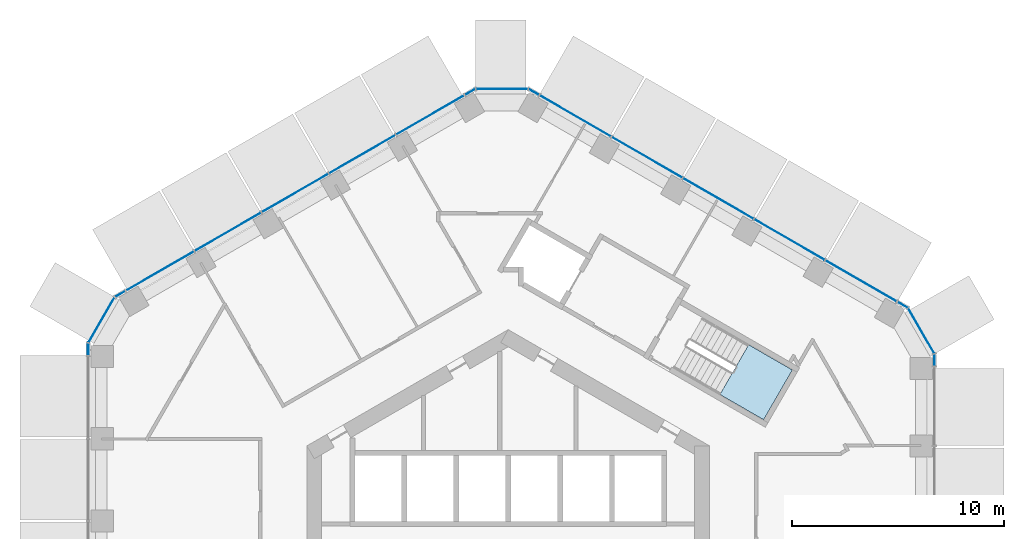
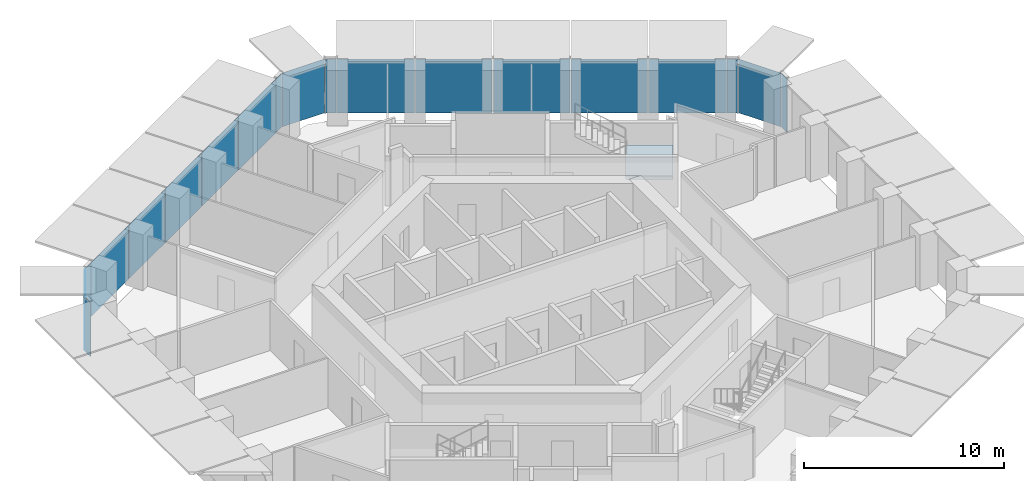
# One storey, part 12 of 19: 19 plates, 1 slab, 6 elements without a shape of their own.
"""IFC4 building model written with IfcOpenShell, lengths in metres."""

from ifc_helpers import new_model, si_unit, direction, frame, origin, origin_2d, place, context, subcontext, project, spatial, polyline, rectangle, outline, extrude, material, layer, layer_set, type_object, element, aggregate, save


model = new_model("IFC4")

# Units and contexts
model_context = context("Model", 3, precision=1e-05, world=origin(), true_north=direction((0.0, 1.0)))
body_context = subcontext(model_context, "Body", "Model", "MODEL_VIEW")
ifc_project = project(units=[si_unit("LENGTHUNIT", "METRE"), si_unit("AREAUNIT", "SQUARE_METRE"), si_unit("VOLUMEUNIT", "CUBIC_METRE"), si_unit("PLANEANGLEUNIT", "RADIAN"), si_unit("MASSUNIT", "GRAM", prefix="KILO")], contexts=[model_context])

# Site, building, storey
site_placement = place(None, origin())
site = spatial("IfcSite", under=ifc_project, at=site_placement, CompositionType="ELEMENT")
building_placement = place(site_placement, origin())
building = spatial("IfcBuilding", under=site, at=building_placement, Name="Ayvan Gate Tower", CompositionType="ELEMENT")
storey_placement = place(building_placement, frame((0.0, 0.0, 100.10009765625)))
storey = spatial("IfcBuildingStorey", under=building, at=storey_placement, Name="L26", CompositionType="ELEMENT", Elevation=100.10009765625)

# Stair, slab
ifc_material_1 = material(Name="Concrete C40/50", Category="concrete")
stair_type = type_object("IfcStairType", Name="ST-EXIT", PredefinedType="HALF_TURN_STAIR", material=ifc_material_1)
stair_placement = place(storey_placement, origin())
stair = element("IfcStair", 1, at=stair_placement, inside=storey, type_object=stair_type, Name="L26 Exit Stair S1", PredefinedType="HALF_TURN_STAIR")
ifc_layer_1 = layer(ifc_material_1, 0.199951171875)
ifc_layer_set_1 = layer_set([ifc_layer_1], Name="Concrete C40/50")
slab_type = type_object("IfcSlabType", Name="SL-LANDING-200", PredefinedType="LANDING", material=ifc_layer_set_1)
slab_placement = place(storey_placement, frame((0.0, 0.0, 1.5)))
slab = element("IfcSlab", 2, at=slab_placement, type_object=slab_type, Name="STS1 landing 1", PredefinedType="LANDING", context=body_context, shape_type="SweptSolid", body=[
    extrude(outline(polyline([(9.988525390625, 7.91064453125), (12.049560546875, 6.720458984375), (13.404541015625, 9.0673828125), (11.343505859375, 10.257568359375), (9.988525390625, 7.91064453125)])), origin(), (0.0, 0.0, 1.0), 0.199951171875),
])
aggregate(stair, [slab])

# Curtain wall, plates
ifc_material_2 = material(Name="Bronze anodised aluminium", Category="aluminium")
ifc_layer_2 = layer(ifc_material_2, 0.199951171875)
ifc_layer_set_2 = layer_set([ifc_layer_2], Name="Bronze anodised aluminium")
curtain_wall_type_1 = type_object("IfcCurtainWallType", Name="Stick curtain wall CW-1", PredefinedType="NOTDEFINED", material=ifc_layer_set_2)
curtain_wall_1_placement = place(storey_placement, origin())
curtain_wall_1 = element("IfcCurtainWall", 3, at=curtain_wall_1_placement, inside=storey, type_object=curtain_wall_type_1, Name="Stick curtain wall CW-1 L26", PredefinedType="NOTDEFINED")
ifc_material_3 = material(Name="Clear low-iron laminated glass", Category="glass")
ifc_layer_3 = layer(ifc_material_3, 0.028076171875)
ifc_layer_set_3 = layer_set([ifc_layer_3], Name="Clear low-iron laminated glass")
plate_type_1 = type_object("IfcPlateType", Name="Stick curtain wall CW-1 glass panel", PredefinedType="CURTAIN_PANEL", material=ifc_layer_set_3)
plate_1_placement = place(storey_placement, frame((-3.671630859375, 21.101806640625, 0.0), z_axis=(0.0, 0.0, 1.0), x_axis=(-0.866025403784, -0.5, 0.0)))
plate_1 = element("IfcPlate", 4, at=plate_1_placement, type_object=plate_type_1, Name="CW-1 glass panel 1", PredefinedType="CURTAIN_PANEL", context=body_context, shape_type="SweptSolid", body=[
    extrude(rectangle(XDim=3.712890625, YDim=0.028076171875, at=origin_2d()), origin(), (0.0, 0.0, 1.0), 3.280029296875),
])
plate_2_placement = place(storey_placement, frame((-6.888671875, 19.24462890625, 0.0), z_axis=(0.0, 0.0, 1.0), x_axis=(-0.866025403784, -0.5, 0.0)))
plate_2 = element("IfcPlate", 5, at=plate_2_placement, type_object=plate_type_1, Name="CW-1 glass panel 2", PredefinedType="CURTAIN_PANEL", context=body_context, shape_type="SweptSolid", body=[
    extrude(rectangle(XDim=3.595947265625, YDim=0.028076171875, at=origin_2d()), origin(), (0.0, 0.0, 1.0), 3.280029296875),
])
plate_3_placement = place(storey_placement, frame((-10.05517578125, 17.416259765625, 0.0), z_axis=(0.0, 0.0, 1.0), x_axis=(-0.866025403784, -0.5, 0.0)))
plate_3 = element("IfcPlate", 6, at=plate_3_placement, type_object=plate_type_1, Name="CW-1 glass panel 3", PredefinedType="CURTAIN_PANEL", context=body_context, shape_type="SweptSolid", body=[
    extrude(rectangle(XDim=3.596923828125, YDim=0.028076171875, at=origin_2d()), origin(), (0.0, 0.0, 1.0), 3.280029296875),
])
plate_4_placement = place(storey_placement, frame((-13.221923828125, 15.588134765625, 0.0), z_axis=(0.0, 0.0, 1.0), x_axis=(-0.866025403784, -0.5, 0.0)))
plate_4 = element("IfcPlate", 7, at=plate_4_placement, type_object=plate_type_1, Name="CW-1 glass panel 4", PredefinedType="CURTAIN_PANEL", context=body_context, shape_type="SweptSolid", body=[
    extrude(rectangle(XDim=3.595947265625, YDim=0.028076171875, at=origin_2d()), origin(), (0.0, 0.0, 1.0), 3.280029296875),
])
plate_5_placement = place(storey_placement, frame((-16.438720703125, 13.730712890625, 0.0), z_axis=(0.0, 0.0, 1.0), x_axis=(-0.866025403784, -0.5, 0.0)))
plate_5 = element("IfcPlate", 8, at=plate_5_placement, type_object=plate_type_1, Name="CW-1 glass panel 5", PredefinedType="CURTAIN_PANEL", context=body_context, shape_type="SweptSolid", body=[
    extrude(rectangle(XDim=3.713134765625, YDim=0.028076171875, at=origin_2d()), origin(), (0.0, 0.0, 1.0), 3.280029296875),
])
aggregate(curtain_wall_1, [plate_1, plate_2, plate_3, plate_4, plate_5])

curtain_wall_2_placement = place(storey_placement, origin())
curtain_wall_2 = element("IfcCurtainWall", 9, at=curtain_wall_2_placement, inside=storey, type_object=curtain_wall_type_1, Name="Stick curtain wall CW-1 L26", PredefinedType="NOTDEFINED")
plate_6_placement = place(storey_placement, frame((16.659912109375, 13.260498046875, 0.0), z_axis=(0.0, 0.0, 1.0), x_axis=(-0.866025403784, 0.5, 0.0)))
plate_6 = element("IfcPlate", 10, at=plate_6_placement, type_object=plate_type_1, Name="CW-1 glass panel 1", PredefinedType="CURTAIN_PANEL", context=body_context, shape_type="SweptSolid", body=[
    extrude(rectangle(XDim=3.887939453125, YDim=0.028076171875, at=origin_2d()), origin(), (0.0, 0.0, 1.0), 3.280029296875),
])
plate_7_placement = place(storey_placement, frame((13.269287109375, 15.218017578125, 0.0), z_axis=(0.0, 0.0, 1.0), x_axis=(-0.866025403784, 0.5, 0.0)))
plate_7 = element("IfcPlate", 11, at=plate_7_placement, type_object=plate_type_1, Name="CW-1 glass panel 2", PredefinedType="CURTAIN_PANEL", context=body_context, shape_type="SweptSolid", body=[
    extrude(rectangle(XDim=3.822021484375, YDim=0.028076171875, at=origin_2d()), origin(), (0.0, 0.0, 1.0), 3.280029296875),
])
plate_8_placement = place(storey_placement, frame((9.906982421875, 17.1591796875, 0.0), z_axis=(0.0, 0.0, 1.0), x_axis=(-0.866025403784, 0.5, 0.0)))
plate_8 = element("IfcPlate", 12, at=plate_8_placement, type_object=plate_type_1, Name="CW-1 glass panel 3", PredefinedType="CURTAIN_PANEL", context=body_context, shape_type="SweptSolid", body=[
    extrude(rectangle(XDim=3.822998046875, YDim=0.028076171875, at=origin_2d()), origin(), (0.0, 0.0, 1.0), 3.280029296875),
])
plate_9_placement = place(storey_placement, frame((6.544677734375, 19.1005859375, 0.0), z_axis=(0.0, 0.0, 1.0), x_axis=(-0.866025403784, 0.5, 0.0)))
plate_9 = element("IfcPlate", 13, at=plate_9_placement, type_object=plate_type_1, Name="CW-1 glass panel 4", PredefinedType="CURTAIN_PANEL", context=body_context, shape_type="SweptSolid", body=[
    extrude(rectangle(XDim=3.822021484375, YDim=0.028076171875, at=origin_2d()), origin(), (0.0, 0.0, 1.0), 3.280029296875),
])
plate_10_placement = place(storey_placement, frame((3.154052734375, 21.05810546875, 0.0), z_axis=(0.0, 0.0, 1.0), x_axis=(-0.866025403784, 0.5, 0.0)))
plate_10 = element("IfcPlate", 14, at=plate_10_placement, type_object=plate_type_1, Name="CW-1 glass panel 5", PredefinedType="CURTAIN_PANEL", context=body_context, shape_type="SweptSolid", body=[
    extrude(rectangle(XDim=3.88818359375, YDim=0.028076171875, at=origin_2d()), origin(), (0.0, 0.0, 1.0), 3.280029296875),
])
aggregate(curtain_wall_2, [plate_6, plate_7, plate_8, plate_9, plate_10])

ifc_layer_4 = layer(ifc_material_2, 0.199951171875)
ifc_layer_set_4 = layer_set([ifc_layer_4], Name="Bronze anodised aluminium")
curtain_wall_type_2 = type_object("IfcCurtainWallType", Name="Stick curtain wall CW-6", PredefinedType="NOTDEFINED", material=ifc_layer_set_4)
curtain_wall_3_placement = place(storey_placement, origin())
curtain_wall_3 = element("IfcCurtainWall", 15, at=curtain_wall_3_placement, inside=storey, type_object=curtain_wall_type_2, Name="Stick curtain wall CW-6 L26", PredefinedType="NOTDEFINED")
ifc_layer_5 = layer(ifc_material_3, 0.028076171875)
ifc_layer_set_5 = layer_set([ifc_layer_5], Name="Clear low-iron laminated glass")
plate_type_2 = type_object("IfcPlateType", Name="Stick curtain wall CW-6 glass panel", PredefinedType="CURTAIN_PANEL", material=ifc_layer_set_5)
plate_11_placement = place(storey_placement, frame((-18.310791015625, 12.64990234375, 0.0), z_axis=(0.0, 0.0, 1.0), x_axis=(-0.866025403784, -0.5, 0.0)))
plate_11 = element("IfcPlate", 16, at=plate_11_placement, type_object=plate_type_2, Name="CW-6 glass panel 1", PredefinedType="CURTAIN_PANEL", context=body_context, shape_type="SweptSolid", body=[
    extrude(rectangle(XDim=0.550048828125, YDim=0.028076171875, at=origin_2d()), origin(), (0.0, 0.0, 1.0), 3.280029296875),
])
plate_12_placement = place(storey_placement, frame((-19.192138671875, 11.42333984375, 0.0), z_axis=(0.0, 0.0, 1.0), x_axis=(-0.5, -0.866025403784, 0.0)))
plate_12 = element("IfcPlate", 17, at=plate_12_placement, type_object=plate_type_2, Name="CW-6 glass panel 2", PredefinedType="CURTAIN_PANEL", context=body_context, shape_type="SweptSolid", body=[
    extrude(rectangle(XDim=2.4365234375, YDim=0.028076171875, at=origin_2d()), origin(), (0.0, 0.0, 1.0), 3.280029296875),
])
plate_13_placement = place(storey_placement, frame((-19.813720703125, 10.046630859375, 0.0), z_axis=(0.0, 0.0, 1.0), x_axis=(0.0, -1.0, 0.0)))
plate_13 = element("IfcPlate", 18, at=plate_13_placement, type_object=plate_type_2, Name="CW-6 glass panel 3", PredefinedType="CURTAIN_PANEL", context=body_context, shape_type="SweptSolid", body=[
    extrude(rectangle(XDim=0.550048828125, YDim=0.028076171875, at=origin_2d()), origin(), (0.0, 0.0, 1.0), 3.280029296875),
])
aggregate(curtain_wall_3, [plate_11, plate_12, plate_13])

curtain_wall_4_placement = place(storey_placement, origin())
curtain_wall_4 = element("IfcCurtainWall", 19, at=curtain_wall_4_placement, inside=storey, type_object=curtain_wall_type_2, Name="Stick curtain wall CW-6 L26", PredefinedType="NOTDEFINED")
plate_14_placement = place(storey_placement, frame((20.110595703125, 9.532470703125, 0.0), z_axis=(0.0, 0.0, 1.0), x_axis=(0.0, 1.0, 0.0)))
plate_14 = element("IfcPlate", 20, at=plate_14_placement, type_object=plate_type_2, Name="CW-6 glass panel 1", PredefinedType="CURTAIN_PANEL", context=body_context, shape_type="SweptSolid", body=[
    extrude(rectangle(XDim=0.550048828125, YDim=0.028076171875, at=origin_2d()), origin(), (0.0, 0.0, 1.0), 3.280029296875),
])
plate_15_placement = place(storey_placement, frame((19.489013671875, 10.9091796875, 0.0), z_axis=(0.0, 0.0, 1.0), x_axis=(-0.5, 0.866025403784, 0.0)))
plate_15 = element("IfcPlate", 21, at=plate_15_placement, type_object=plate_type_2, Name="CW-6 glass panel 2", PredefinedType="CURTAIN_PANEL", context=body_context, shape_type="SweptSolid", body=[
    extrude(rectangle(XDim=2.4365234375, YDim=0.028076171875, at=origin_2d()), origin(), (0.0, 0.0, 1.0), 3.280029296875),
])
plate_16_placement = place(storey_placement, frame((18.607421875, 12.135986328125, 0.0), z_axis=(0.0, 0.0, 1.0), x_axis=(-0.866025403784, 0.5, 0.0)))
plate_16 = element("IfcPlate", 22, at=plate_16_placement, type_object=plate_type_2, Name="CW-6 glass panel 3", PredefinedType="CURTAIN_PANEL", context=body_context, shape_type="SweptSolid", body=[
    extrude(rectangle(XDim=0.550048828125, YDim=0.028076171875, at=origin_2d()), origin(), (0.0, 0.0, 1.0), 3.280029296875),
])
aggregate(curtain_wall_4, [plate_14, plate_15, plate_16])

curtain_wall_5_placement = place(storey_placement, origin())
curtain_wall_5 = element("IfcCurtainWall", 23, at=curtain_wall_5_placement, inside=storey, type_object=curtain_wall_type_2, Name="Stick curtain wall CW-6 L26", PredefinedType="NOTDEFINED")
plate_17_placement = place(storey_placement, frame((1.206298828125, 22.1826171875, 0.0), z_axis=(0.0, 0.0, 1.0), x_axis=(-0.866025403784, 0.5, 0.0)))
plate_17 = element("IfcPlate", 24, at=plate_17_placement, type_object=plate_type_2, Name="CW-6 glass panel 1", PredefinedType="CURTAIN_PANEL", context=body_context, shape_type="SweptSolid", body=[
    extrude(rectangle(XDim=0.550048828125, YDim=0.028076171875, at=origin_2d()), origin(), (0.0, 0.0, 1.0), 3.280029296875),
])
plate_18_placement = place(storey_placement, frame((-0.296630859375, 22.33251953125, 0.0), z_axis=(0.0, 0.0, 1.0), x_axis=(-1.0, 0.0, 0.0)))
plate_18 = element("IfcPlate", 25, at=plate_18_placement, type_object=plate_type_2, Name="CW-6 glass panel 2", PredefinedType="CURTAIN_PANEL", context=body_context, shape_type="SweptSolid", body=[
    extrude(rectangle(XDim=2.4365234375, YDim=0.028076171875, at=origin_2d()), origin(), (0.0, 0.0, 1.0), 3.280029296875),
])
plate_19_placement = place(storey_placement, frame((-1.7998046875, 22.1826171875, 0.0), z_axis=(0.0, 0.0, 1.0), x_axis=(-0.866025403784, -0.5, 0.0)))
plate_19 = element("IfcPlate", 26, at=plate_19_placement, type_object=plate_type_2, Name="CW-6 glass panel 3", PredefinedType="CURTAIN_PANEL", context=body_context, shape_type="SweptSolid", body=[
    extrude(rectangle(XDim=0.550048828125, YDim=0.028076171875, at=origin_2d()), origin(), (0.0, 0.0, 1.0), 3.280029296875),
])
aggregate(curtain_wall_5, [plate_17, plate_18, plate_19])

save(model, "model.ifc")
